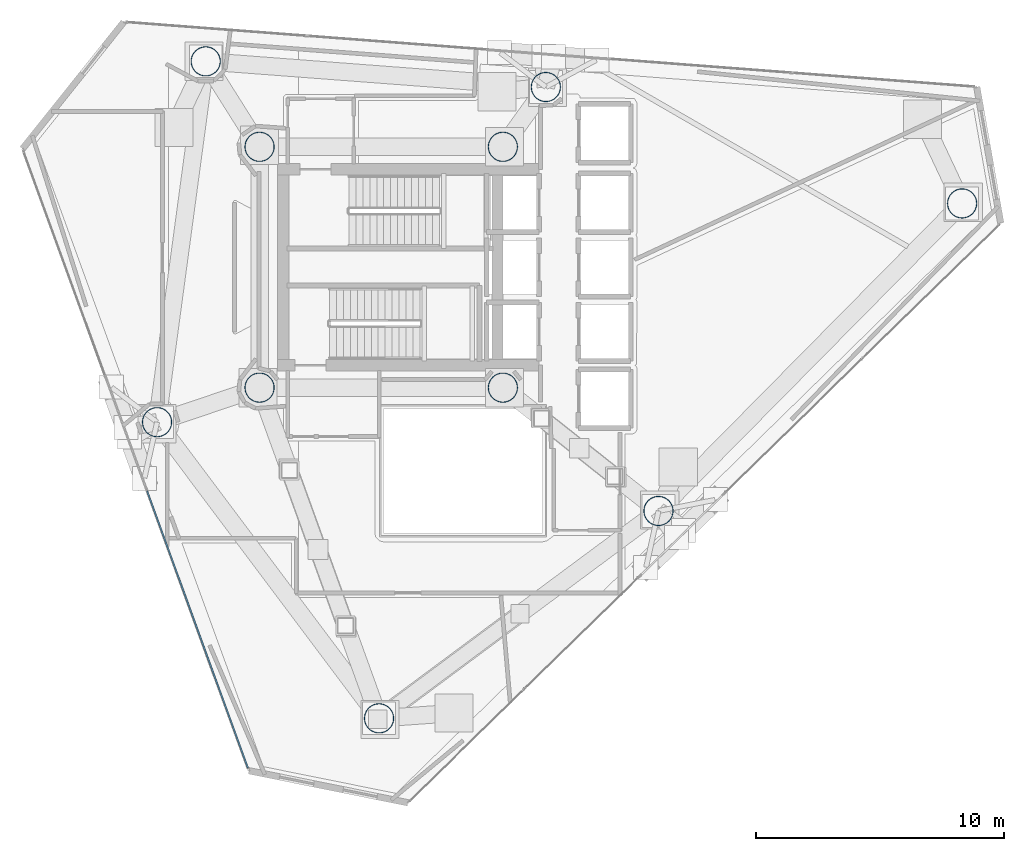
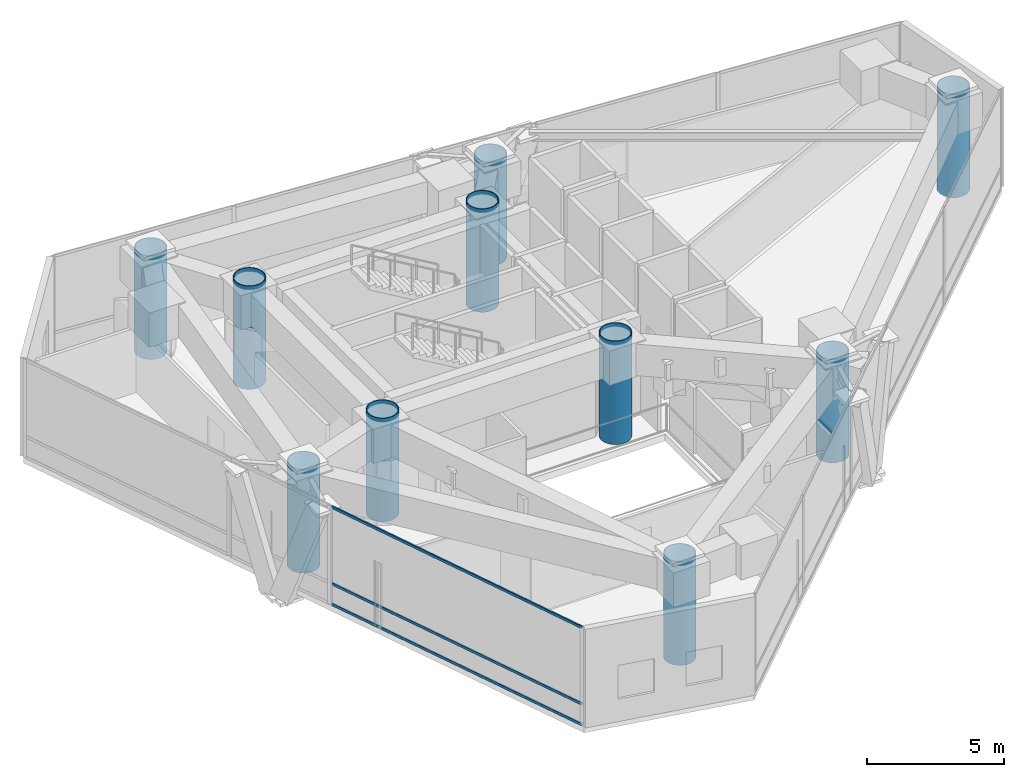
# One storey, part 1 of 20: 10 columns, 3 members, 1 element without a shape of its own.
"""IFC4 building model written with IfcOpenShell, lengths in metres."""

import ifcopenshell
import ifcopenshell.guid

model = None  # the IFC model being written
_history = None  # IfcOwnerHistory: only IFC2X3 demands one
_inside = {}  # id of a spatial element -> (the spatial element, [elements in it])
_under = {}  # id of a project, library or spatial element -> (it, [spatial elements below it])
_declared = {}  # id of a project -> (the project, [libraries it declares])
_typed = {}  # id of a type object -> (the type object, [elements of that type])
_made_of = {}  # id of a material, layer set ... -> (it, [elements and type objects made of it])


def new_model(schema):
    """Start an empty IFC model of exactly this schema.

    Asked for "IFC4X3", IfcOpenShell would pick the latest addendum, in which some entities
    have other attributes; the version numbers below select the first issue.
    IFC2X3 requires an IfcOwnerHistory on every rooted entity: one is made here for all.
    """
    global model, _history
    if schema == "IFC4X3":
        model = ifcopenshell.file(schema_version=(4, 3, 0, 0))
    else:
        model = ifcopenshell.file(schema=schema)
    _inside.clear()
    _under.clear()
    _declared.clear()
    _typed.clear()
    _made_of.clear()
    _history = None
    if model.schema == "IFC2X3":
        org = make("IfcOrganization", Name="unknown")
        user = make(
            "IfcPersonAndOrganization",
            ThePerson=make("IfcPerson", FamilyName="unknown"),
            TheOrganization=org,
        )
        app = make(
            "IfcApplication",
            ApplicationDeveloper=org,
            Version="unknown",
            ApplicationFullName="unknown",
            ApplicationIdentifier="unknown",
        )
        _history = make(
            "IfcOwnerHistory",
            OwningUser=user,
            OwningApplication=app,
            ChangeAction="ADDED",
            CreationDate=0,
        )
    return model


def make(cls, **values):
    """One entity of the class cls with the attributes given. An attribute that is None is left unset."""
    return model.create_entity(
        cls, **{name: value for name, value in values.items() if value is not None}
    )


def rooted(cls, **values):
    """An entity with a GlobalId (a new one), such as an element, a storey or a relation."""
    return make(cls, GlobalId=ifcopenshell.guid.new(), OwnerHistory=_history, **values)


def si_unit(unit_type, name, prefix=None):
    """IfcSIUnit, for example si_unit("LENGTHUNIT", "METRE", prefix="MILLI")."""
    return make("IfcSIUnit", UnitType=unit_type, Prefix=prefix, Name=name)


def assignment(units):
    """IfcUnitAssignment: the units of a project."""
    return None if units is None else make("IfcUnitAssignment", Units=units)


def point(xyz):
    """IfcCartesianPoint."""
    return None if xyz is None else make("IfcCartesianPoint", Coordinates=xyz)


def direction(xyz):
    """IfcDirection."""
    return None if xyz is None else make("IfcDirection", DirectionRatios=xyz)


def frame(location, z_axis=None, x_axis=None):
    """IfcAxis2Placement3D, a coordinate frame: its origin and axes. An axis left out is left unset."""
    return make(
        "IfcAxis2Placement3D",
        Location=point(location),
        Axis=direction(z_axis),
        RefDirection=direction(x_axis),
    )


def frame_2d(location, x_axis=None):
    """IfcAxis2Placement2D, a coordinate frame in the plane: its origin and x axis."""
    return make(
        "IfcAxis2Placement2D", Location=point(location), RefDirection=direction(x_axis)
    )


def origin():
    """The frame at (0, 0, 0) with its axes left unset."""
    return frame((0.0, 0.0, 0.0))


def origin_2d():
    """The frame at (0, 0) in the plane with its x axis left unset."""
    return frame_2d((0.0, 0.0))


def place(relative_to, where):
    """IfcLocalPlacement: puts the frame where relative to a parent placement (None: the world)."""
    return make(
        "IfcLocalPlacement", PlacementRelTo=relative_to, RelativePlacement=where
    )


def context(
    kind, dimensions, precision=None, world=None, true_north=None, identifier=None
):
    """IfcGeometricRepresentationContext, for example the 3D "Model" context."""
    return make(
        "IfcGeometricRepresentationContext",
        ContextIdentifier=identifier,
        ContextType=kind,
        CoordinateSpaceDimension=dimensions,
        Precision=precision,
        WorldCoordinateSystem=world,
        TrueNorth=true_north,
    )


def subcontext(parent, identifier, kind, view, scale=None):
    """IfcGeometricRepresentationSubContext, for example "Body" below "Model"."""
    return make(
        "IfcGeometricRepresentationSubContext",
        ContextIdentifier=identifier,
        ContextType=kind,
        ParentContext=parent,
        TargetScale=scale,
        TargetView=view,
    )


def project(units=None, contexts=None):
    """IfcProject with its units and contexts."""
    return rooted(
        "IfcProject",
        Name="project",
        RepresentationContexts=contexts,
        UnitsInContext=assignment(units),
    )


def spatial(cls, under=None, at=None, **own):
    """A site, building, storey or space (cls), placed at a placement, below another one or the project."""
    s = rooted(cls, ObjectPlacement=at, **own)
    if under is not None:
        _under.setdefault(under.id(), (under, []))[1].append(s)
    return s


def profile(cls, at=None, kind="AREA", **sizes):
    """A parametric profile (cls). Its sizes go by their IFC names, for example OverallWidth=200.0."""
    return make(cls, ProfileType=kind, Position=at, **sizes)


def hollow_rectangle(**sizes):
    """IfcRectangleHollowProfileDef."""
    return profile("IfcRectangleHollowProfileDef", **sizes)


def hollow_circle(**sizes):
    """IfcCircleHollowProfileDef."""
    return profile("IfcCircleHollowProfileDef", **sizes)


def extrude(swept, where, along, depth):
    """IfcExtrudedAreaSolid: the profile swept, set in the frame where, extruded along a direction by depth."""
    return make(
        "IfcExtrudedAreaSolid",
        SweptArea=swept,
        Position=where,
        ExtrudedDirection=direction(along),
        Depth=depth,
    )


def shape(context_of_items, identifier, shape_type, items):
    """IfcShapeRepresentation: the items that make up one representation, for example the "Body"."""
    return make(
        "IfcShapeRepresentation",
        ContextOfItems=context_of_items,
        RepresentationIdentifier=identifier,
        RepresentationType=shape_type,
        Items=items,
    )


def material(Name=None, Category=None):
    """IfcMaterial."""
    return make("IfcMaterial", Name=Name, Category=Category)


def layer(
    of_material, thickness, ventilated=None, Name=None, Category=None, Priority=None
):
    """IfcMaterialLayer: one layer of a wall or slab, of a material (None: an air gap)."""
    return make(
        "IfcMaterialLayer",
        Material=of_material,
        LayerThickness=thickness,
        IsVentilated=ventilated,
        Name=Name,
        Category=Category,
        Priority=Priority,
    )


def layer_set(layers, Name=None):
    """IfcMaterialLayerSet."""
    return make("IfcMaterialLayerSet", MaterialLayers=layers, LayerSetName=Name)


def material_profile(
    of_material, cross_section, Name=None, Category=None, Priority=None
):
    """IfcMaterialProfile: a cross section and its material."""
    return make(
        "IfcMaterialProfile",
        Name=Name,
        Material=of_material,
        Profile=cross_section,
        Priority=Priority,
        Category=Category,
    )


def profile_set(profiles, Name=None, composite=None):
    """IfcMaterialProfileSet."""
    return make(
        "IfcMaterialProfileSet",
        Name=Name,
        MaterialProfiles=profiles,
        CompositeProfile=composite,
    )


def made_of(thing, what):
    """Note that an element or type object is made of a material, layer set ...; save() writes the relation."""
    if what is not None:
        _made_of.setdefault(what.id(), (what, []))[1].append(thing)
    return thing


def type_object(cls, material=None, **own):
    """A type object (cls), such as IfcWallType, which elements share."""
    return made_of(rooted(cls, **own), material)


def element(
    cls,
    number,
    at=None,
    inside=None,
    cuts=None,
    type_object=None,
    material=None,
    context=None,
    identifier="Body",
    shape_type=None,
    held_by="IfcProductDefinitionShape",
    body=None,
    shapes=None,
    **own,
):
    """One element of the class cls, such as IfcWall. Its Tag is "e" and its number.

    at: its placement. inside: the storey or other place that contains it. cuts: it is an
    opening in that element (IfcRelVoidsElement). A single representation is given by context,
    identifier, shape_type and body (its items); several are given by shapes. held_by: the class
    of the entity that holds the representations. save() writes the other relations.
    """
    e = rooted(cls, Tag="e%d" % number, ObjectPlacement=at, **own)
    if body is not None:
        shapes = [shape(context, identifier, shape_type, body)]
    if shapes is not None:
        e.Representation = make(held_by, Representations=shapes)
    if inside is not None:
        _inside.setdefault(inside.id(), (inside, []))[1].append(e)
    if cuts is not None:
        rooted(
            "IfcRelVoidsElement", RelatingBuildingElement=cuts, RelatedOpeningElement=e
        )
    if type_object is not None:
        _typed.setdefault(type_object.id(), (type_object, []))[1].append(e)
    return made_of(e, material)


def aggregate(whole, parts):
    """IfcRelAggregates: a whole, such as a stair, and the parts it consists of."""
    return rooted("IfcRelAggregates", RelatingObject=whole, RelatedObjects=parts)


def save(model, path):
    """Write the relations noted so far, then the file.

    IfcRelAggregates (storeys below a building ...), IfcRelContainedInSpatialStructure (elements
    in a storey), IfcRelDefinesByType, IfcRelAssociatesMaterial and IfcRelDeclares: one each for
    every whole, place, type object, material and project.
    """
    for whole, parts in _under.values():
        aggregate(whole, parts)
    for where, things in _inside.values():
        rooted(
            "IfcRelContainedInSpatialStructure",
            RelatedElements=things,
            RelatingStructure=where,
        )
    for kind, things in _typed.values():
        rooted("IfcRelDefinesByType", RelatedObjects=things, RelatingType=kind)
    for what, things in _made_of.values():
        rooted("IfcRelAssociatesMaterial", RelatedObjects=things, RelatingMaterial=what)
    for by, libraries in _declared.values():
        rooted("IfcRelDeclares", RelatingContext=by, RelatedDefinitions=libraries)
    model.write(path)


model = new_model("IFC4")

# Units and contexts
model_context = context("Model", 3, precision=1e-05, world=origin(), true_north=direction((0.0, 1.0)))
body_context = subcontext(model_context, "Body", "Model", "MODEL_VIEW")
ifc_project = project(units=[si_unit("LENGTHUNIT", "METRE"), si_unit("AREAUNIT", "SQUARE_METRE"), si_unit("VOLUMEUNIT", "CUBIC_METRE"), si_unit("PLANEANGLEUNIT", "RADIAN"), si_unit("MASSUNIT", "GRAM", prefix="KILO")], contexts=[model_context])

# Site, building, storey
site_placement = place(None, origin())
site = spatial("IfcSite", under=ifc_project, at=site_placement, CompositionType="ELEMENT")
building_placement = place(site_placement, origin())
building = spatial("IfcBuilding", under=site, at=building_placement, Name="Qianvela Tower", CompositionType="ELEMENT")
storey_placement = place(building_placement, frame((0.0, 0.0, 229.89990234375)))
storey = spatial("IfcBuildingStorey", under=building, at=storey_placement, Name="L59", CompositionType="ELEMENT", Elevation=229.89990234375)

# Columns
ifc_material_1 = material(Name="Steel Q420GJC", Category="steel")
ifc_material_profile_1 = material_profile(ifc_material_1, hollow_circle(Radius=0.60009765625, WallThickness=0.030029296875, at=origin_2d()), Name="CFT-1200x30")
ifc_profile_set_1 = profile_set([ifc_material_profile_1], Name="Steel Q420GJC")
column_type = type_object("IfcColumnType", Name="COL-CFT-1200x30", PredefinedType="COLUMN", material=ifc_profile_set_1)
for number, where, z_axis, x_axis, name in (
    (1, (28.60009765625, 33.550048828125, 0.0), (0.0, 0.0, 1.0), (1.0, 0.0, 0.0), "L59 Core Corner Mega-Column CC-NW"),
    (2, (28.60009765625, 23.85009765625, 0.0), (0.0, 0.0, 1.0), (1.0, 0.0, 0.0), "L59 Core Corner Mega-Column CC-SW"),
    (3, (38.39990234375, 33.550048828125, 0.0), (0.0, 0.0, 1.0), (1.0, 0.0, 0.0), "L59 Core Corner Mega-Column CC-NE"),
    (4, (38.39990234375, 23.85009765625, 0.0), (0.0, 0.0, 1.0), (1.0, 0.0, 0.0), "L59 Core Corner Mega-Column CC-SE"),
    (5, (56.89697265625, 31.27001953125, 0.0), (0.0, 0.0, 1.0), (1.0, 0.0, 0.0), "L59 Zone Z5 CFT Mega-Column C1"),
    (6, (40.131103515625, 35.9580078125, 0.0), (0.0, 0.0, 1.0), (1.0, 0.0, 0.0), "L59 Zone Z5 CFT Mega-Column C2"),
    (7, (26.430908203125, 36.991943359375, 0.0), (0.0, 0.0, 1.0), (1.0, 0.0, 0.0), "L59 Zone Z5 CFT Mega-Column C3"),
    (8, (24.471923828125, 22.4599609375, 0.0), (0.0, 0.0, 1.0), (1.0, 0.0, 0.0), "L59 Zone Z5 CFT Mega-Column C4"),
    (9, (33.4130859375, 10.531005859375, 0.0), (0.0, 0.0, 1.0), (1.0, 0.0, 0.0), "L59 Zone Z5 CFT Mega-Column C5"),
    (10, (44.6669921875, 18.883056640625, 0.0), (0.0, 0.0, 1.0), (1.0, 0.0, 0.0), "L59 Zone Z5 CFT Mega-Column C6"),
):
    element("IfcColumn", number, at=place(storey_placement, frame(where, z_axis=z_axis, x_axis=x_axis)), inside=storey, type_object=column_type, Name=name, PredefinedType="COLUMN", context=body_context, shape_type="SweptSolid", body=[
        extrude(hollow_circle(Radius=0.60009765625, WallThickness=0.030029296875, at=origin_2d()), origin(), (0.0, 0.0, 1.0), 4.60009765625),
    ])

# Curtain wall, members
ifc_material_2 = material(Name="Anodised Architectural Aluminium and Low-E Glass", Category="aluminium")
ifc_layer = layer(ifc_material_2, 0.159912109375)
ifc_layer_set = layer_set([ifc_layer], Name="Anodised Architectural Aluminium and Low-E Glass")
curtain_wall_type = type_object("IfcCurtainWallType", Name="CW-COLIV-Z56", PredefinedType="USERDEFINED", material=ifc_layer_set)
curtain_wall_placement = place(storey_placement, origin())
curtain_wall = element("IfcCurtainWall", 11, at=curtain_wall_placement, inside=storey, type_object=curtain_wall_type, Name="L59 CW-COLIV-Z56 Curtain Wall 04C", ObjectType="CURTAIN_WALL_SYSTEM", PredefinedType="USERDEFINED")
ifc_material_3 = material(Name="Anodised Architectural Aluminium 6063-T6", Category="aluminium")
ifc_material_profile_2 = material_profile(ifc_material_3, hollow_rectangle(XDim=0.06005859375, YDim=0.114990234375, WallThickness=0.00390625, at=origin_2d()), Name="ALU-TRAN-60x115")
ifc_profile_set_2 = profile_set([ifc_material_profile_2], Name="Anodised Architectural Aluminium 6063-T6")
member_type = type_object("IfcMemberType", Name="CW-COLIV-Z56-TRAN", PredefinedType="USERDEFINED", material=ifc_profile_set_2)
member_1_placement = place(storey_placement, frame((24.068603515625, 19.694091796875, 0.030029296875), z_axis=(0.34202670496, -0.93969023252, 0.0), x_axis=(0.93969023252, 0.34202670496, 0.0)))
member_1 = element("IfcMember", 12, at=member_1_placement, type_object=member_type, Name="CW-5 transom 1.1", ObjectType="TRANSOM", PredefinedType="USERDEFINED", context=body_context, shape_type="SweptSolid", body=[
    extrude(hollow_rectangle(XDim=0.06005859375, YDim=0.114990234375, WallThickness=0.00390625, at=origin_2d()), origin(), (0.0, 0.0, 1.0), 11.88623046875),
])
member_2_placement = place(storey_placement, frame((24.068603515625, 19.694091796875, 0.9501953125), z_axis=(0.34202670496, -0.93969023252, 0.0), x_axis=(0.93969023252, 0.34202670496, 0.0)))
member_2 = element("IfcMember", 13, at=member_2_placement, type_object=member_type, Name="CW-5 transom 1.2", ObjectType="TRANSOM", PredefinedType="USERDEFINED", context=body_context, shape_type="SweptSolid", body=[
    extrude(hollow_rectangle(XDim=0.06005859375, YDim=0.114990234375, WallThickness=0.00390625, at=origin_2d()), origin(), (0.0, 0.0, 1.0), 11.88623046875),
])
member_3_placement = place(storey_placement, frame((24.068603515625, 19.694091796875, 4.35009765625), z_axis=(0.34202670496, -0.93969023252, 0.0), x_axis=(0.93969023252, 0.34202670496, 0.0)))
member_3 = element("IfcMember", 14, at=member_3_placement, type_object=member_type, Name="CW-5 transom 1.3", ObjectType="TRANSOM", PredefinedType="USERDEFINED", context=body_context, shape_type="SweptSolid", body=[
    extrude(hollow_rectangle(XDim=0.06005859375, YDim=0.114990234375, WallThickness=0.00390625, at=origin_2d()), origin(), (0.0, 0.0, 1.0), 11.88623046875),
])
aggregate(curtain_wall, [member_1, member_2, member_3])

save(model, "model.ifc")
